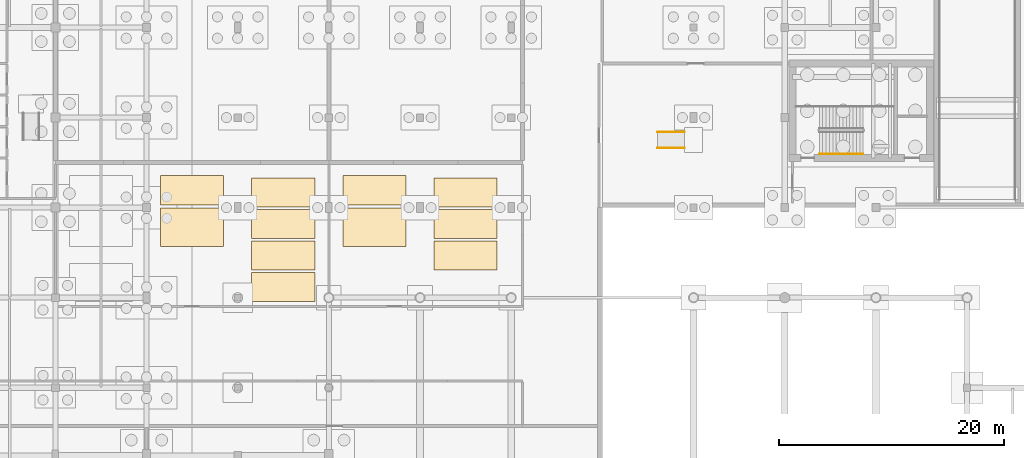
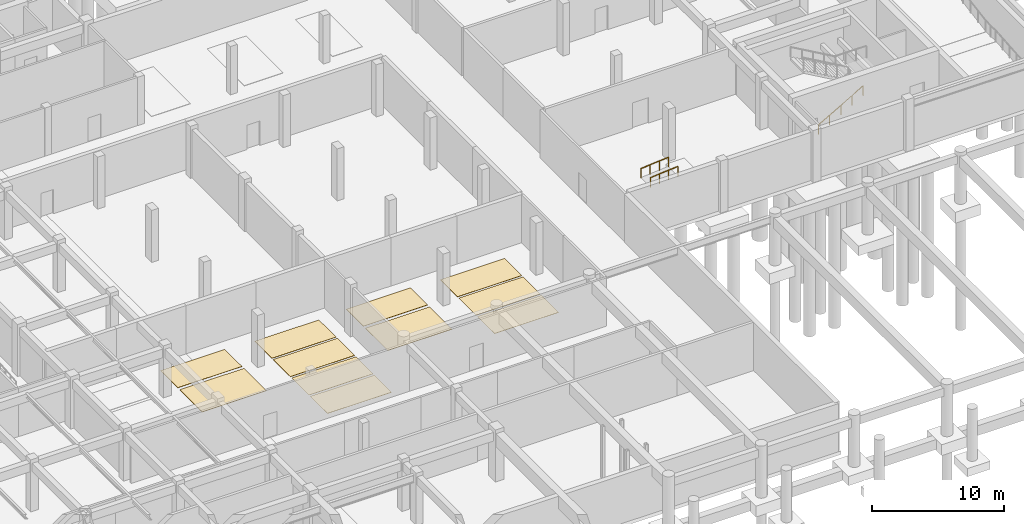
# One storey, part 21 of 25: 11 coverings, 3 railings.
"""IFC4 building model written with IfcOpenShell, lengths in metres."""

from ifc_helpers import new_model, si_unit, direction, frame, origin, origin_2d, place, context, subcontext, project, spatial, polyline, circle, outline, extrude, material, layer, layer_set, type_object, element, save


model = new_model("IFC4")

# Units and contexts
model_context = context("Model", 3, precision=1e-05, world=origin(), true_north=direction((0.0, 1.0)))
body_context = subcontext(model_context, "Body", "Model", "MODEL_VIEW")
ifc_project = project(units=[si_unit("LENGTHUNIT", "METRE"), si_unit("AREAUNIT", "SQUARE_METRE"), si_unit("VOLUMEUNIT", "CUBIC_METRE"), si_unit("PLANEANGLEUNIT", "RADIAN"), si_unit("MASSUNIT", "GRAM", prefix="KILO")], contexts=[model_context])

# Site, building, storey
site_placement = place(None, origin())
site = spatial("IfcSite", under=ifc_project, at=site_placement, CompositionType="ELEMENT")
building_placement = place(site_placement, origin())
building = spatial("IfcBuilding", under=site, at=building_placement, Name="Tarnveldt Square Police Headquarters", CompositionType="ELEMENT")
storey_placement = place(building_placement, frame((0.0, 0.0, -4.800048828125)))
storey = spatial("IfcBuildingStorey", under=building, at=storey_placement, Name="B1", CompositionType="ELEMENT", Elevation=-4.800048828125)

# Coverings
ifc_material_1 = material(Name="Polished cementitious terrazzo flooring", Category="concrete")
ifc_layer = layer(ifc_material_1, 0.02490234375)
ifc_layer_set = layer_set([ifc_layer], Name="Polished cementitious terrazzo flooring")
covering_type = type_object("IfcCoveringType", Name="COV-FLR-25", PredefinedType="FLOORING", material=ifc_layer_set)
covering_1_placement = place(storey_placement, origin())
element("IfcCovering", 1, at=covering_1_placement, inside=storey, type_object=covering_type, Name="Accessible Parking Bay B1-A4", PredefinedType="FLOORING", context=body_context, shape_type="SweptSolid", body=[
    extrude(outline(polyline([(55.449951171875, 52.550048828125), (55.449951171875, 55.949951171875), (49.85009765625, 55.949951171875), (49.85009765625, 52.550048828125), (55.449951171875, 52.550048828125)])), origin(), (0.0, 0.0, 1.0), 0.025146484375),
])
covering_2_placement = place(storey_placement, origin())
element("IfcCovering", 2, at=covering_2_placement, inside=storey, type_object=covering_type, Name="Accessible Parking Bay B1-A6", PredefinedType="FLOORING", context=body_context, shape_type="SweptSolid", body=[
    extrude(outline(polyline([(71.64990234375, 52.550048828125), (71.64990234375, 55.949951171875), (66.050048828125, 55.949951171875), (66.050048828125, 52.550048828125), (71.64990234375, 52.550048828125)])), origin(), (0.0, 0.0, 1.0), 0.025146484375),
])
covering_3_placement = place(storey_placement, origin())
element("IfcCovering", 3, at=covering_3_placement, inside=storey, type_object=covering_type, Name="Patrol Parking Bay B1-02", PredefinedType="FLOORING", context=body_context, shape_type="SweptSolid", body=[
    extrude(outline(polyline([(55.449951171875, 56.25), (55.449951171875, 58.85009765625), (49.85009765625, 58.85009765625), (49.85009765625, 56.25), (55.449951171875, 56.25)])), origin(), (0.0, 0.0, 1.0), 0.025146484375),
])
covering_4_placement = place(storey_placement, origin())
element("IfcCovering", 4, at=covering_4_placement, inside=storey, type_object=covering_type, Name="Patrol Parking Bay B1-03", PredefinedType="FLOORING", context=body_context, shape_type="SweptSolid", body=[
    extrude(outline(polyline([(71.64990234375, 56.25), (71.64990234375, 58.85009765625), (66.050048828125, 58.85009765625), (66.050048828125, 56.25), (71.64990234375, 56.25)])), origin(), (0.0, 0.0, 1.0), 0.025146484375),
])
covering_5_placement = place(storey_placement, origin())
element("IfcCovering", 5, at=covering_5_placement, inside=storey, type_object=covering_type, Name="Patrol Parking Bay B1-04", PredefinedType="FLOORING", context=body_context, shape_type="SweptSolid", body=[
    extrude(outline(polyline([(63.550048828125, 47.64990234375), (63.550048828125, 50.25), (57.949951171875, 50.25), (57.949951171875, 47.64990234375), (63.550048828125, 47.64990234375)])), origin(), (0.0, 0.0, 1.0), 0.025146484375),
])
covering_6_placement = place(storey_placement, origin())
element("IfcCovering", 6, at=covering_6_placement, inside=storey, type_object=covering_type, Name="Patrol Parking Bay B1-05", PredefinedType="FLOORING", context=body_context, shape_type="SweptSolid", body=[
    extrude(outline(polyline([(63.550048828125, 50.449951171875), (63.550048828125, 53.050048828125), (57.949951171875, 53.050048828125), (57.949951171875, 50.449951171875), (63.550048828125, 50.449951171875)])), origin(), (0.0, 0.0, 1.0), 0.025146484375),
])
covering_7_placement = place(storey_placement, origin())
element("IfcCovering", 7, at=covering_7_placement, inside=storey, type_object=covering_type, Name="Patrol Parking Bay B1-06", PredefinedType="FLOORING", context=body_context, shape_type="SweptSolid", body=[
    extrude(outline(polyline([(63.550048828125, 53.25), (63.550048828125, 55.85009765625), (57.949951171875, 55.85009765625), (57.949951171875, 53.25), (63.550048828125, 53.25)])), origin(), (0.0, 0.0, 1.0), 0.025146484375),
])
covering_8_placement = place(storey_placement, origin())
element("IfcCovering", 8, at=covering_8_placement, inside=storey, type_object=covering_type, Name="Patrol Parking Bay B1-07", PredefinedType="FLOORING", context=body_context, shape_type="SweptSolid", body=[
    extrude(outline(polyline([(63.550048828125, 56.050048828125), (63.550048828125, 58.64990234375), (57.949951171875, 58.64990234375), (57.949951171875, 56.050048828125), (63.550048828125, 56.050048828125)])), origin(), (0.0, 0.0, 1.0), 0.025146484375),
])
covering_9_placement = place(storey_placement, origin())
element("IfcCovering", 9, at=covering_9_placement, inside=storey, type_object=covering_type, Name="Patrol Parking Bay B1-09", PredefinedType="FLOORING", context=body_context, shape_type="SweptSolid", body=[
    extrude(outline(polyline([(79.75, 50.449951171875), (79.75, 53.050048828125), (74.14990234375, 53.050048828125), (74.14990234375, 50.449951171875), (79.75, 50.449951171875)])), origin(), (0.0, 0.0, 1.0), 0.025146484375),
])
covering_10_placement = place(storey_placement, origin())
element("IfcCovering", 10, at=covering_10_placement, inside=storey, type_object=covering_type, Name="Patrol Parking Bay B1-10", PredefinedType="FLOORING", context=body_context, shape_type="SweptSolid", body=[
    extrude(outline(polyline([(79.75, 53.25), (79.75, 55.85009765625), (74.14990234375, 55.85009765625), (74.14990234375, 53.25), (79.75, 53.25)])), origin(), (0.0, 0.0, 1.0), 0.025146484375),
])
covering_11_placement = place(storey_placement, origin())
element("IfcCovering", 11, at=covering_11_placement, inside=storey, type_object=covering_type, Name="Patrol Parking Bay B1-11", PredefinedType="FLOORING", context=body_context, shape_type="SweptSolid", body=[
    extrude(outline(polyline([(79.75, 56.050048828125), (79.75, 58.64990234375), (74.14990234375, 58.64990234375), (74.14990234375, 56.050048828125), (79.75, 56.050048828125)])), origin(), (0.0, 0.0, 1.0), 0.025146484375),
])

# Railings
ifc_material_2 = material(Name="Steel 350W", Category="steel")
railing_type = type_object("IfcRailingType", Name="RL-HR-900", PredefinedType="HANDRAIL", material=ifc_material_2)
railing_placement = place(storey_placement, frame((108.3701171875, 60.77001953125, 0.17138671875)))
element("IfcRailing", 12, at=railing_placement, inside=storey, type_object=railing_type, Name="B1 ST4 stair handrail 1", PredefinedType="HANDRAIL", context=body_context, shape_type="SweptSolid", body=[
    extrude(circle(Radius=0.02392578125, at=origin_2d()), frame((0.0, 0.0, 0.8759765625), z_axis=(0.868219727965, 0.0, 0.496179910892), x_axis=(0.0, 1.0, 0.0)), (0.0, 0.0, 1.0), 4.491943359375),
    extrude(circle(Radius=0.02099609375, at=origin_2d()), origin(), (0.0, 0.0, 1.0), 0.851806640625),
    extrude(circle(Radius=0.02099609375, at=origin_2d()), frame((0.97509765625, 0.0, 0.55712890625)), (0.0, 0.0, 1.0), 0.851806640625),
    extrude(circle(Radius=0.02099609375, at=origin_2d()), frame((1.949951171875, 0.0, 1.1142578125)), (0.0, 0.0, 1.0), 0.851806640625),
    extrude(circle(Radius=0.02099609375, at=origin_2d()), frame((2.9248046875, 0.0, 1.671630859375)), (0.0, 0.0, 1.0), 0.851806640625),
    extrude(circle(Radius=0.02099609375, at=origin_2d()), frame((3.89990234375, 0.0, 2.228759765625)), (0.0, 0.0, 1.0), 0.851806640625),
])
for number, where, name in (
    (13, (94.0, 61.300048828125, 0.0), "Core K4 Accessible Lobby Ramp PR4 Left Handrail"),
    (14, (94.0, 62.699951171875, 0.0), "Core K4 Accessible Lobby Ramp PR4 Right Handrail"),
):
    element("IfcRailing", number, at=place(storey_placement, frame(where)), inside=storey, type_object=railing_type, Name=name, PredefinedType="HANDRAIL", context=body_context, shape_type="SweptSolid", body=[
        extrude(circle(Radius=0.02392578125, at=origin_2d()), frame((0.0, 0.0, 0.8759765625), z_axis=(0.996547156423, 0.0, 0.083028700011), x_axis=(0.0, 1.0, 0.0)), (0.0, 0.0, 1.0), 2.408203125),
        extrude(circle(Radius=0.02099609375, at=origin_2d()), origin(), (0.0, 0.0, 1.0), 0.851806640625),
        extrude(circle(Radius=0.02099609375, at=origin_2d()), frame((0.800048828125, 0.0, 0.066650390625)), (0.0, 0.0, 1.0), 0.851806640625),
        extrude(circle(Radius=0.02099609375, at=origin_2d()), frame((1.599853515625, 0.0, 0.13330078125)), (0.0, 0.0, 1.0), 0.851806640625),
        extrude(circle(Radius=0.02099609375, at=origin_2d()), frame((2.39990234375, 0.0, 0.199951171875)), (0.0, 0.0, 1.0), 0.851806640625),
    ])

save(model, "model.ifc")
